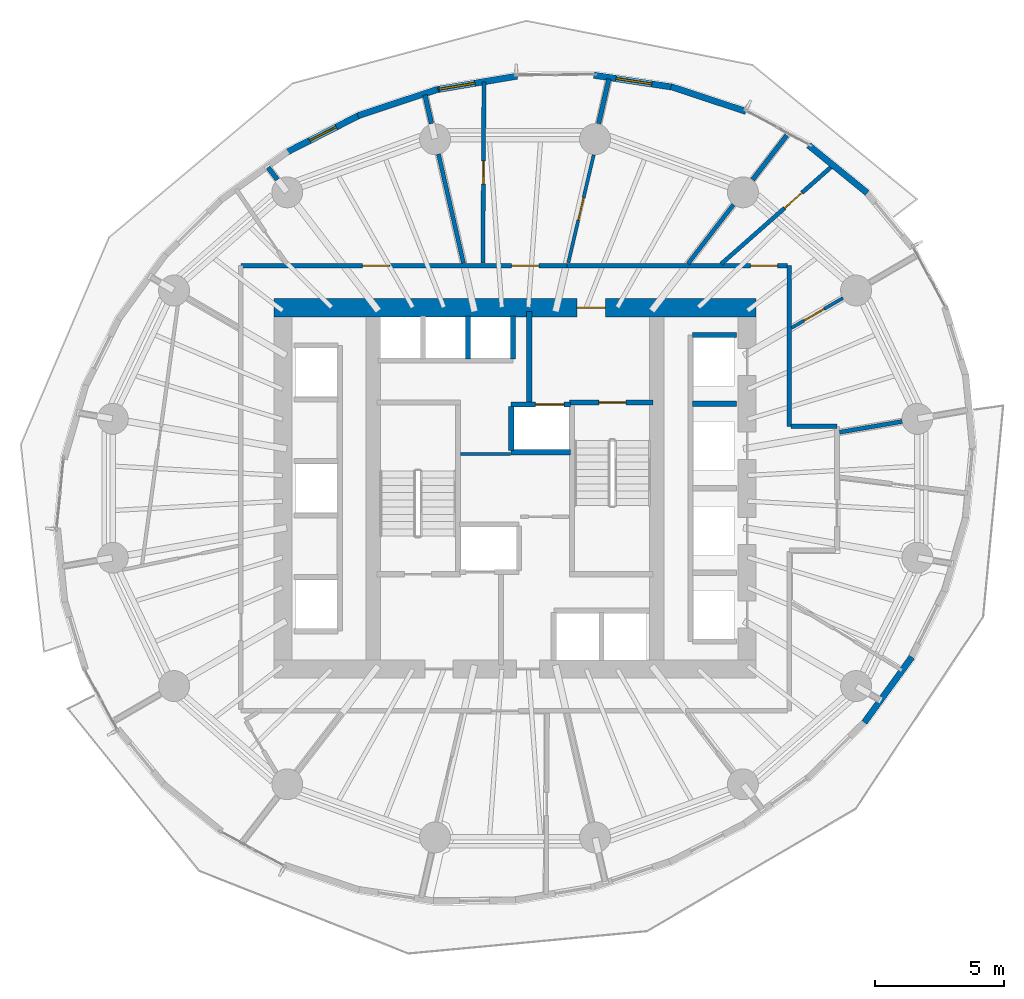
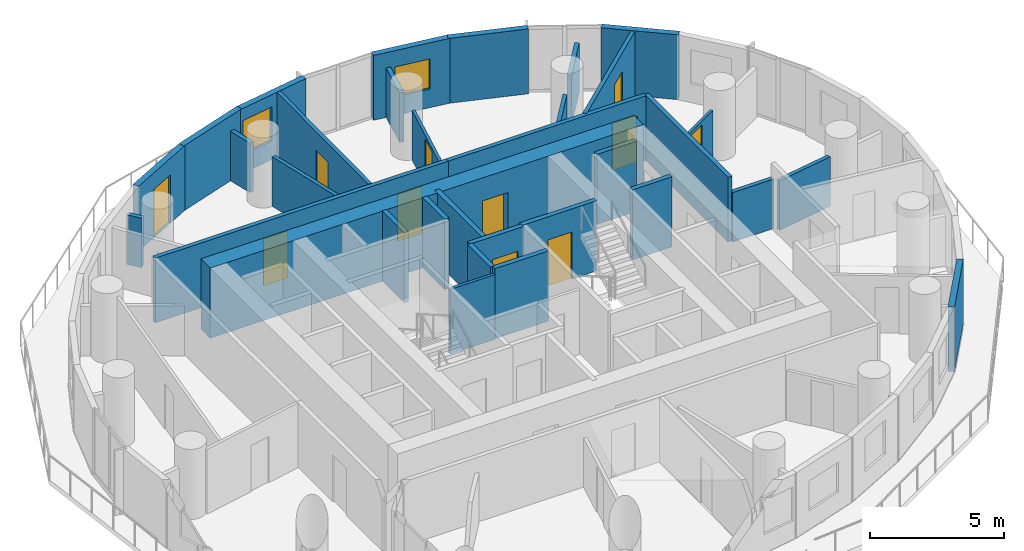
# One storey, part 9 of 14: 33 walls, 11 doors, 2 windows, 13 openings.
"""IFC4 building model written with IfcOpenShell, lengths in metres."""

from ifc_helpers import new_model, si_unit, direction, frame, frame_2d, origin, place, context, subcontext, project, spatial, rectangle, extrude, material, layer, layer_set, type_object, element, fill, save


model = new_model("IFC4")

# Units and contexts
model_context = context("Model", 3, precision=1e-05, world=origin(), true_north=direction((0.0, 1.0)))
body_context = subcontext(model_context, "Body", "Model", "MODEL_VIEW")
ifc_project = project(units=[si_unit("LENGTHUNIT", "METRE"), si_unit("AREAUNIT", "SQUARE_METRE"), si_unit("VOLUMEUNIT", "CUBIC_METRE"), si_unit("PLANEANGLEUNIT", "RADIAN"), si_unit("MASSUNIT", "GRAM", prefix="KILO")], contexts=[model_context])

# Site, building, storey
site_placement = place(None, origin())
site = spatial("IfcSite", under=ifc_project, at=site_placement, CompositionType="ELEMENT")
building_placement = place(site_placement, origin())
building = spatial("IfcBuilding", under=site, at=building_placement, Name="Veldorim Arch Residences", CompositionType="ELEMENT")
storey_placement = place(building_placement, frame((0.0, 0.0, 99.679931640625)))
storey = spatial("IfcBuildingStorey", under=building, at=storey_placement, Name="L29", CompositionType="ELEMENT", Elevation=99.679931640625)

# Wall
ifc_material_1 = material(Name="Acoustic Gypsum Board", Category="gypsum")
ifc_layer_1 = layer(ifc_material_1, 0.125, Name="Acoustic Stud Room Partition Wall 125")
ifc_layer_set_1 = layer_set([ifc_layer_1], Name="Acoustic Gypsum Board")
wall_type_1 = type_object("IfcWallType", Name="Acoustic Stud Room Partition Wall 125", PredefinedType="PARTITIONING", material=ifc_layer_set_1)
wall_1_placement = place(storey_placement, frame((29.889892578125, 25.330078125, 0.0), z_axis=(0.0, 0.0, 1.0), x_axis=(1.0, 0.0, 0.0)))
element("IfcWall", 1, at=wall_1_placement, inside=storey, type_object=wall_type_1, Name="L29 interior wall WL-CA-L29-N", PredefinedType="PARTITIONING", context=body_context, shape_type="SweptSolid", body=[
    extrude(rectangle(XDim=1.940185546875, YDim=0.125, at=frame_2d((0.97021484375, 0.0))), origin(), (0.0, 0.0, 1.0), 2.955078125),
])

# Wall, opening, door
wall_2_placement = place(storey_placement, frame((44.711181640625, 31.37548828125, 0.0), z_axis=(0.0, 0.0, 1.0), x_axis=(-0.864966854608, -0.501828995207, 0.0)))
wall_2 = element("IfcWall", 2, at=wall_2_placement, inside=storey, type_object=wall_type_1, Name="L29 interior wall WL-RES-L29-022", PredefinedType="PARTITIONING", context=body_context, shape_type="SweptSolid", body=[
    extrude(rectangle(XDim=2.305908203125, YDim=0.125, at=frame_2d((1.15283203125, 0.0))), origin(), (0.0, 0.0, 1.0), 2.2607421875),
])
opening_1_placement = place(wall_2_placement, frame((0.843017578125, 0.0, 0.0)))
opening_1 = element("IfcOpeningElement", 3, at=opening_1_placement, cuts=wall_2, Name="Opening DR-INT", PredefinedType="OPENING", context=body_context, shape_type="SweptSolid", body=[
    extrude(rectangle(XDim=0.89990234375, YDim=2.10009765625, at=frame_2d((0.449951171875, 1.050048828125))), frame((0.0, 0.072509765625, 0.0), z_axis=(0.0, -1.0, 0.0), x_axis=(1.0, 0.0, 0.0)), (0.0, 0.0, 1.0), 0.14501953125),
])
ifc_material_2 = material(Name="Engineered Timber", Category="wood")
door_type_1 = type_object("IfcDoorType", Name="Apartment Internal Room Timber Door 900x2100", OperationType="SINGLE_SWING_LEFT", PredefinedType="DOOR", material=ifc_material_2)
door_1_placement = place(opening_1_placement, origin())
door_1 = element("IfcDoor", 4, at=door_1_placement, inside=storey, type_object=door_type_1, Name="L29 interior door DR-RES-L29-010", OperationType="SINGLE_SWING_RIGHT", OverallHeight=2.10009765625, OverallWidth=0.89990234375, PredefinedType="DOOR", context=body_context, shape_type="SweptSolid", body=[
    extrude(rectangle(XDim=0.89990234375, YDim=2.10009765625, at=frame_2d((0.449951171875, 1.050048828125))), frame((0.0, 0.02490234375, 0.0), z_axis=(0.0, -1.0, 0.0), x_axis=(1.0, 0.0, 0.0)), (0.0, 0.0, 1.0), 0.050048828125),
])
fill(opening_1, door_1)

wall_3_placement = place(storey_placement, frame((35.048828125, 36.9267578125, 0.0), z_axis=(0.0, 0.0, 1.0), x_axis=(-0.229552612231, -0.973296254086, 0.0)))
wall_3 = element("IfcWall", 5, at=wall_3_placement, inside=storey, type_object=wall_type_1, Name="L29 interior wall WL-RES-L29-025", PredefinedType="PARTITIONING", context=body_context, shape_type="SweptSolid", body=[
    extrude(rectangle(XDim=4.294677734375, YDim=0.125, at=frame_2d((2.1474609375, 0.0))), origin(), (0.0, 0.0, 1.0), 2.2607421875),
])
opening_2_placement = place(wall_3_placement, frame((1.697509765625, 0.0, 0.0)))
opening_2 = element("IfcOpeningElement", 6, at=opening_2_placement, cuts=wall_3, Name="Opening DR-INT", PredefinedType="OPENING", context=body_context, shape_type="SweptSolid", body=[
    extrude(rectangle(XDim=0.89990234375, YDim=2.10009765625, at=frame_2d((0.449951171875, 1.050048828125))), frame((0.0, 0.072509765625, 0.0), z_axis=(0.0, -1.0, 0.0), x_axis=(1.0, 0.0, 0.0)), (0.0, 0.0, 1.0), 0.14501953125),
])
door_2_placement = place(opening_2_placement, origin())
door_2 = element("IfcDoor", 7, at=door_2_placement, inside=storey, type_object=door_type_1, Name="L29 interior door DR-RES-L29-013", OperationType="SINGLE_SWING_LEFT", OverallHeight=2.10009765625, OverallWidth=0.89990234375, PredefinedType="DOOR", context=body_context, shape_type="SweptSolid", body=[
    extrude(rectangle(XDim=0.89990234375, YDim=2.10009765625, at=frame_2d((0.449951171875, 1.050048828125))), frame((0.0, 0.02490234375, 0.0), z_axis=(0.0, -1.0, 0.0), x_axis=(1.0, 0.0, 0.0)), (0.0, 0.0, 1.0), 0.050048828125),
])
fill(opening_2, door_2)

# Walls
ifc_material_3 = material(Name="Lightweight Masonry Block & Gypsum", Category="masonry")
ifc_layer_2 = layer(ifc_material_3, 0.179931640625, Name="Compartment & Corridor Fire-Rated Party Wall 180")
ifc_layer_set_2 = layer_set([ifc_layer_2], Name="Lightweight Masonry Block & Gypsum")
wall_type_2 = type_object("IfcWallType", Name="Compartment & Corridor Fire-Rated Party Wall 180", PredefinedType="PARTITIONING", material=ifc_layer_set_2)
wall_4_placement = place(storey_placement, frame((41.2119140625, 35.965576171875, 0.0), z_axis=(0.0, 0.0, 1.0), x_axis=(0.610026423006, 0.792381071981, 0.0)))
element("IfcWall", 8, at=wall_4_placement, inside=storey, type_object=wall_type_2, Name="L29 interior wall WL-PIER-L29-03", PredefinedType="PARTITIONING", context=body_context, shape_type="SweptSolid", body=[
    extrude(rectangle(XDim=2.16748046875, YDim=0.179931640625, at=frame_2d((1.083740234375, 0.0))), origin(), (0.0, 0.0, 1.0), 2.2607421875),
])
wall_5_placement = place(storey_placement, frame((35.240478515625, 38.13916015625, 0.0), z_axis=(0.0, 0.0, 1.0), x_axis=(0.223406034992, 0.974725470853, 0.0)))
element("IfcWall", 9, at=wall_5_placement, inside=storey, type_object=wall_type_2, Name="L29 interior wall WL-PIER-L29-04", PredefinedType="PARTITIONING", context=body_context, shape_type="SweptSolid", body=[
    extrude(rectangle(XDim=1.779052734375, YDim=0.179931640625, at=frame_2d((0.8896484375, 0.0))), origin(), (0.0, 0.0, 1.0), 2.2607421875),
])
wall_6_placement = place(storey_placement, frame((28.759521484375, 38.13916015625, 0.0), z_axis=(0.0, 0.0, 1.0), x_axis=(-0.223325248633, 0.974743983476, 0.0)))
element("IfcWall", 10, at=wall_6_placement, inside=storey, type_object=wall_type_2, Name="L29 interior wall WL-PIER-L29-05", PredefinedType="PARTITIONING", context=body_context, shape_type="SweptSolid", body=[
    extrude(rectangle(XDim=1.13916015625, YDim=0.179931640625, at=frame_2d((0.569580078125, 0.0))), origin(), (0.0, 0.0, 1.0), 2.2607421875),
])
wall_7_placement = place(storey_placement, frame((22.7880859375, 35.965576171875, 0.0), z_axis=(0.0, 0.0, 1.0), x_axis=(-0.609809319142, 0.792548165279, 0.0)))
element("IfcWall", 11, at=wall_7_placement, inside=storey, type_object=wall_type_2, Name="L29 interior wall WL-PIER-L29-06", PredefinedType="PARTITIONING", context=body_context, shape_type="SweptSolid", body=[
    extrude(rectangle(XDim=0.5986328125, YDim=0.179931640625, at=frame_2d((0.29931640625, 0.0))), origin(), (0.0, 0.0, 1.0), 2.2607421875),
])
wall_8_placement = place(storey_placement, frame((42.6298828125, 32.6298828125, 0.0), z_axis=(0.0, 0.0, 1.0), x_axis=(0.0, -1.0, 0.0)))
element("IfcWall", 12, at=wall_8_placement, inside=storey, type_object=wall_type_2, Name="L29 interior wall WL-RES-L29-006", PredefinedType="PARTITIONING", context=body_context, shape_type="SweptSolid", body=[
    extrude(rectangle(XDim=6.22998046875, YDim=0.179931640625, at=frame_2d((3.114990234375, 0.0))), origin(), (0.0, 0.0, 1.0), 2.955078125),
])

# Wall, opening, door
wall_9_placement = place(storey_placement, frame((34.015380859375, 32.6298828125, 0.0), z_axis=(0.0, 0.0, 1.0), x_axis=(1.0, 0.0, 0.0)))
wall_9 = element("IfcWall", 13, at=wall_9_placement, inside=storey, type_object=wall_type_2, Name="L29 interior wall WL-RES-L29-007", PredefinedType="PARTITIONING", context=body_context, shape_type="SweptSolid", body=[
    extrude(rectangle(XDim=8.5546875, YDim=0.179931640625, at=frame_2d((4.27734375, 0.0))), origin(), (0.0, 0.0, 1.0), 2.955078125),
])
opening_3_placement = place(wall_9_placement, frame((7.1123046875, 0.0, 0.0)))
opening_3 = element("IfcOpeningElement", 14, at=opening_3_placement, cuts=wall_9, Name="Opening DR-FLT", PredefinedType="OPENING", context=body_context, shape_type="SweptSolid", body=[
    extrude(rectangle(XDim=1.050048828125, YDim=2.14990234375, at=frame_2d((0.52490234375, 1.074951171875))), frame((0.0, 0.099853515625, 0.0), z_axis=(0.0, -1.0, 0.0), x_axis=(1.0, 0.0, 0.0)), (0.0, 0.0, 1.0), 0.199951171875),
])
ifc_material_4 = material(Name="Fire-Rated Timber", Category="wood")
door_type_2 = type_object("IfcDoorType", Name="Apartment Entrance Solid-Core Fire Door 1050x2150", OperationType="SINGLE_SWING_LEFT", PredefinedType="DOOR", material=ifc_material_4)
door_3_placement = place(opening_3_placement, origin())
door_3 = element("IfcDoor", 15, at=door_3_placement, inside=storey, type_object=door_type_2, Name="L29 interior door DR-RES-L29-008", OperationType="SINGLE_SWING_RIGHT", OverallHeight=2.14990234375, OverallWidth=1.050048828125, PredefinedType="DOOR", context=body_context, shape_type="SweptSolid", body=[
    extrude(rectangle(XDim=1.050048828125, YDim=2.14990234375, at=frame_2d((0.52490234375, 1.074951171875))), frame((0.0, 0.02490234375, 0.0), z_axis=(0.0, -1.0, 0.0), x_axis=(1.0, 0.0, 0.0)), (0.0, 0.0, 1.0), 0.050048828125),
])
fill(opening_3, door_3)

# Wall
wall_10_placement = place(storey_placement, frame((42.68994140625, 26.39990234375, 0.0), z_axis=(0.0, 0.0, 1.0), x_axis=(1.0, 0.0, 0.0)))
element("IfcWall", 16, at=wall_10_placement, inside=storey, type_object=wall_type_2, Name="L29 interior wall WL-RES-L29-008", PredefinedType="PARTITIONING", context=body_context, shape_type="SweptSolid", body=[
    extrude(rectangle(XDim=1.7900390625, YDim=0.179931640625, at=frame_2d((0.89501953125, 0.0))), origin(), (0.0, 0.0, 1.0), 2.2607421875),
])

# Wall, openings, doors
wall_11_placement = place(storey_placement, frame((21.3701171875, 32.6298828125, 0.0), z_axis=(0.0, 0.0, 1.0), x_axis=(1.0, 0.0, 0.0)))
wall_11 = element("IfcWall", 17, at=wall_11_placement, inside=storey, type_object=wall_type_2, Name="L29 interior wall WL-RES-L29-009", PredefinedType="PARTITIONING", context=body_context, shape_type="SweptSolid", body=[
    extrude(rectangle(XDim=12.685791015625, YDim=0.179931640625, at=frame_2d((6.3427734375, 0.0))), origin(), (0.0, 0.0, 1.0), 2.955078125),
])
opening_4_placement = place(wall_11_placement, frame((10.49853515625, 0.0, 0.0)))
opening_4 = element("IfcOpeningElement", 18, at=opening_4_placement, cuts=wall_11, Name="Opening DR-FLT", PredefinedType="OPENING", context=body_context, shape_type="SweptSolid", body=[
    extrude(rectangle(XDim=1.050048828125, YDim=2.14990234375, at=frame_2d((0.52490234375, 1.074951171875))), frame((0.0, 0.099853515625, 0.0), z_axis=(0.0, -1.0, 0.0), x_axis=(1.0, 0.0, 0.0)), (0.0, 0.0, 1.0), 0.199951171875),
])
opening_5_placement = place(wall_11_placement, frame((4.712890625, 0.0, 0.0)))
opening_5 = element("IfcOpeningElement", 19, at=opening_5_placement, cuts=wall_11, Name="Opening DR-FLT", PredefinedType="OPENING", context=body_context, shape_type="SweptSolid", body=[
    extrude(rectangle(XDim=1.050048828125, YDim=2.14990234375, at=frame_2d((0.52490234375, 1.074951171875))), frame((0.0, 0.099853515625, 0.0), z_axis=(0.0, -1.0, 0.0), x_axis=(1.0, 0.0, 0.0)), (0.0, 0.0, 1.0), 0.199951171875),
])
door_4_placement = place(opening_4_placement, origin())
door_4 = element("IfcDoor", 20, at=door_4_placement, inside=storey, type_object=door_type_2, Name="L29 interior door DR-RES-L29-011", OperationType="SINGLE_SWING_LEFT", OverallHeight=2.14990234375, OverallWidth=1.050048828125, PredefinedType="DOOR", context=body_context, shape_type="SweptSolid", body=[
    extrude(rectangle(XDim=1.050048828125, YDim=2.14990234375, at=frame_2d((0.52490234375, 1.074951171875))), frame((0.0, 0.02490234375, 0.0), z_axis=(0.0, -1.0, 0.0), x_axis=(1.0, 0.0, 0.0)), (0.0, 0.0, 1.0), 0.050048828125),
])
fill(opening_4, door_4)
door_5_placement = place(opening_5_placement, origin())
door_5 = element("IfcDoor", 21, at=door_5_placement, inside=storey, type_object=door_type_2, Name="L29 interior door DR-RES-L29-014", OperationType="SINGLE_SWING_RIGHT", OverallHeight=2.14990234375, OverallWidth=1.050048828125, PredefinedType="DOOR", context=body_context, shape_type="SweptSolid", body=[
    extrude(rectangle(XDim=1.050048828125, YDim=2.14990234375, at=frame_2d((0.52490234375, 1.074951171875))), frame((0.0, 0.02490234375, 0.0), z_axis=(0.0, -1.0, 0.0), x_axis=(1.0, 0.0, 0.0)), (0.0, 0.0, 1.0), 0.050048828125),
])
fill(opening_5, door_5)

# Wall, opening, door
ifc_material_5 = material(Name="Concrete C50/60", Category="concrete")
ifc_layer_3 = layer(ifc_material_5, 0.199951171875, Name="Core Stair & Lift Shaft Enclosure Wall 200")
ifc_layer_set_3 = layer_set([ifc_layer_3], Name="Concrete C50/60")
wall_type_3 = type_object("IfcWallType", Name="Core Stair & Lift Shaft Enclosure Wall 200", PredefinedType="SHEAR", material=ifc_layer_set_3)
wall_12_placement = place(storey_placement, frame((34.110107421875, 27.330078125, 0.0), z_axis=(0.0, 0.0, 1.0), x_axis=(1.0, 0.0, 0.0)))
wall_12 = element("IfcWall", 22, at=wall_12_placement, inside=storey, type_object=wall_type_3, Name="L29 shaft wall WL-SHF-L29-ST2-N", PredefinedType="SHEAR", context=body_context, shape_type="SweptSolid", body=[
    extrude(rectangle(XDim=3.239990234375, YDim=0.199951171875, at=frame_2d((1.6201171875, 0.0))), origin(), (0.0, 0.0, 1.0), 3.199951171875),
])
opening_6_placement = place(wall_12_placement, frame((1.135009765625, 0.0, 0.0)))
opening_6 = element("IfcOpeningElement", 23, at=opening_6_placement, cuts=wall_12, Name="Opening DR-ST", PredefinedType="OPENING", context=body_context, shape_type="SweptSolid", body=[
    extrude(rectangle(XDim=1.050048828125, YDim=2.14990234375, at=frame_2d((0.52490234375, 1.074951171875))), frame((0.0, 0.10986328125, 0.0), z_axis=(0.0, -1.0, 0.0), x_axis=(1.0, 0.0, 0.0)), (0.0, 0.0, 1.0), 0.219970703125),
])
ifc_material_6 = material(Name="Fire-Rated Steel", Category="steel")
door_type_3 = type_object("IfcDoorType", Name="Exit Staircase Self-Closing Fire Door 1050x2150", OperationType="SINGLE_SWING_LEFT", PredefinedType="DOOR", material=ifc_material_6)
door_6_placement = place(opening_6_placement, origin())
door_6 = element("IfcDoor", 24, at=door_6_placement, inside=storey, type_object=door_type_3, Name="L29 interior door DR-L29-ST2", OperationType="SINGLE_SWING_RIGHT", OverallHeight=2.14990234375, OverallWidth=1.050048828125, PredefinedType="DOOR", context=body_context, shape_type="SweptSolid", body=[
    extrude(rectangle(XDim=1.050048828125, YDim=2.14990234375, at=frame_2d((0.52490234375, 1.074951171875))), frame((0.0, 0.02490234375, 0.0), z_axis=(0.0, -1.0, 0.0), x_axis=(1.0, 0.0, 0.0)), (0.0, 0.0, 1.0), 0.050048828125),
])
fill(opening_6, door_6)

# Wall
wall_13_placement = place(storey_placement, frame((32.550048828125, 27.35009765625, 0.0), z_axis=(0.0, 0.0, 1.0), x_axis=(0.0, 1.0, 0.0)))
element("IfcWall", 25, at=wall_13_placement, inside=storey, type_object=wall_type_3, Name="L29 shaft wall WL-FFL2-L29-W", PredefinedType="SHEAR", context=body_context, shape_type="SweptSolid", body=[
    extrude(rectangle(XDim=3.5, YDim=0.199951171875, at=frame_2d((1.75, 0.0))), origin(), (0.0, 0.0, 1.0), 3.199951171875),
])

# Wall, opening, door
wall_14_placement = place(storey_placement, frame((31.85009765625, 27.25, 0.0), z_axis=(0.0, 0.0, 1.0), x_axis=(1.0, 0.0, 0.0)))
wall_14 = element("IfcWall", 26, at=wall_14_placement, inside=storey, type_object=wall_type_3, Name="L29 shaft wall WL-FL02-L29-N", PredefinedType="SHEAR", context=body_context, shape_type="SweptSolid", body=[
    extrude(rectangle(XDim=2.2998046875, YDim=0.199951171875, at=frame_2d((1.14990234375, 0.0))), origin(), (0.0, 0.0, 1.0), 3.199951171875),
])
opening_7_placement = place(wall_14_placement, frame((0.949951171875, 0.0, 0.0)))
opening_7 = element("IfcOpeningElement", 27, at=opening_7_placement, cuts=wall_14, Name="Opening LD-FF", PredefinedType="OPENING", context=body_context, shape_type="SweptSolid", body=[
    extrude(rectangle(XDim=1.10009765625, YDim=2.14990234375, at=frame_2d((0.550048828125, 1.074951171875))), frame((0.0, 0.10986328125, 0.0), z_axis=(0.0, -1.0, 0.0), x_axis=(1.0, 0.0, 0.0)), (0.0, 0.0, 1.0), 0.219970703125),
])
ifc_material_7 = material(Name="Stainless Steel", Category="steel")
door_type_4 = type_object("IfcDoorType", Name="Firefighting Lift Bi-Parting Sliding Landing Door 1100x2150", OperationType="DOUBLE_DOOR_SLIDING", PredefinedType="DOOR", material=ifc_material_7)
door_7_placement = place(opening_7_placement, origin())
door_7 = element("IfcDoor", 28, at=door_7_placement, inside=storey, type_object=door_type_4, Name="L29 lift landing door LD-L29-FL02", OperationType="DOUBLE_DOOR_SLIDING", OverallHeight=2.14990234375, OverallWidth=1.10009765625, PredefinedType="DOOR", context=body_context, shape_type="SweptSolid", body=[
    extrude(rectangle(XDim=1.10009765625, YDim=2.14990234375, at=frame_2d((0.550048828125, 1.074951171875))), frame((0.0, 0.02490234375, 0.0), z_axis=(0.0, -1.0, 0.0), x_axis=(1.0, 0.0, 0.0)), (0.0, 0.0, 1.0), 0.050048828125),
])
fill(opening_7, door_7)

# Walls
wall_15_placement = place(storey_placement, frame((31.85009765625, 25.39990234375, 0.0), z_axis=(0.0, 0.0, 1.0), x_axis=(1.0, 0.0, 0.0)))
element("IfcWall", 29, at=wall_15_placement, inside=storey, type_object=wall_type_3, Name="L29 shaft wall WL-FL02-L29-S", PredefinedType="SHEAR", context=body_context, shape_type="SweptSolid", body=[
    extrude(rectangle(XDim=2.2998046875, YDim=0.199951171875, at=frame_2d((1.14990234375, 0.0))), origin(), (0.0, 0.0, 1.0), 3.199951171875),
])
for number, where, z_axis, x_axis, name in (
    (30, (31.85009765625, 25.469970703125, 0.0), (0.0, 0.0, 1.0), (0.0, 1.0, 0.0), "L29 shaft wall WL-FL02-L29-W"),
    (31, (38.8701171875, 29.93994140625, 0.0), (0.0, 0.0, 1.0), (1.0, 0.0, 0.0), "L29 shaft wall WL-B1-L29-N"),
    (32, (38.8701171875, 27.27490234375, 0.0), (0.0, 0.0, 1.0), (1.0, 0.0, 0.0), "L29 shaft wall WL-B1-L29-D3"),
):
    element("IfcWall", number, at=place(storey_placement, frame(where, z_axis=z_axis, x_axis=x_axis)), inside=storey, type_object=wall_type_3, Name=name, PredefinedType="SHEAR", context=body_context, shape_type="SweptSolid", body=[
        extrude(rectangle(XDim=1.7099609375, YDim=0.199951171875, at=frame_2d((0.85498046875, 0.0))), origin(), (0.0, 0.0, 1.0), 3.199951171875),
    ])
for number, where, z_axis, x_axis, name in (
    (33, (31.919921875, 29.02001953125, 0.0), (0.0, 0.0, 1.0), (0.0, 1.0, 0.0), "L29 shaft wall WL-B3-L29-E"),
    (34, (30.175048828125, 29.02001953125, 0.0), (0.0, 0.0, 1.0), (0.0, 1.0, 0.0), "L29 shaft wall WL-B3-L29-D2"),
):
    element("IfcWall", number, at=place(storey_placement, frame(where, z_axis=z_axis, x_axis=x_axis)), inside=storey, type_object=wall_type_3, Name=name, PredefinedType="SHEAR", context=body_context, shape_type="SweptSolid", body=[
        extrude(rectangle(XDim=1.659912109375, YDim=0.199951171875, at=frame_2d((0.830078125, 0.0))), origin(), (0.0, 0.0, 1.0), 3.199951171875),
    ])

# Wall, opening, door
ifc_material_8 = material(Name="Concrete C60/75", Category="concrete")
ifc_layer_4 = layer(ifc_material_8, 0.699951171875, Name="Mid-Lower Central Core Shear Wall 700")
ifc_layer_set_4 = layer_set([ifc_layer_4], Name="Concrete C60/75")
wall_type_4 = type_object("IfcWallType", Name="Mid-Lower Central Core Shear Wall 700", PredefinedType="SHEAR", material=ifc_layer_set_4)
wall_16_placement = place(storey_placement, frame((22.64990234375, 31.0, 0.0), z_axis=(0.0, 0.0, 1.0), x_axis=(1.0, 0.0, 0.0)))
wall_16 = element("IfcWall", 35, at=wall_16_placement, inside=storey, type_object=wall_type_4, Name="L29 central core north shear wall", PredefinedType="SHEAR", context=body_context, shape_type="SweptSolid", body=[
    extrude(rectangle(XDim=18.7001953125, YDim=0.699951171875, at=frame_2d((9.35009765625, 0.0))), origin(), (0.0, 0.0, 1.0), 3.199951171875),
])
opening_8_placement = place(wall_16_placement, frame((11.75, 0.0, 0.0)))
opening_8 = element("IfcOpeningElement", 36, at=opening_8_placement, cuts=wall_16, Name="Opening DR-FFL", PredefinedType="OPENING", context=body_context, shape_type="SweptSolid", body=[
    extrude(rectangle(XDim=1.10009765625, YDim=2.14990234375, at=frame_2d((0.550048828125, 1.074951171875))), frame((0.0, 0.35986328125, 0.0), z_axis=(0.0, -1.0, 0.0), x_axis=(1.0, 0.0, 0.0)), (0.0, 0.0, 1.0), 0.719970703125),
])
ifc_material_9 = material(Name="Fire-Rated Steel & Vision Glass", Category="steel")
door_type_5 = type_object("IfcDoorType", Name="Firefighting Lobby Smoke-Stop Fire Door 1100x2150", OperationType="SINGLE_SWING_LEFT", PredefinedType="DOOR", material=ifc_material_9)
door_8_placement = place(opening_8_placement, origin())
door_8 = element("IfcDoor", 37, at=door_8_placement, inside=storey, type_object=door_type_5, Name="L29 interior door DR-L29-FFL2", OperationType="SINGLE_SWING_LEFT", OverallHeight=2.14990234375, OverallWidth=1.10009765625, PredefinedType="DOOR", context=body_context, shape_type="SweptSolid", body=[
    extrude(rectangle(XDim=1.10009765625, YDim=2.14990234375, at=frame_2d((0.550048828125, 1.074951171875))), frame((0.0, 0.02490234375, 0.0), z_axis=(0.0, -1.0, 0.0), x_axis=(1.0, 0.0, 0.0)), (0.0, 0.0, 1.0), 0.050048828125),
])
fill(opening_8, door_8)

# Walls
ifc_material_10 = material(Name="Precast concrete C40/50", Category="concrete")
ifc_layer_5 = layer(ifc_material_10, 0.25, Name="Tower Terracotta Spandrel & Pier Wall 250")
ifc_layer_set_5 = layer_set([ifc_layer_5], Name="Precast concrete C40/50")
wall_type_5 = type_object("IfcWallType", Name="Tower Terracotta Spandrel & Pier Wall 250", PredefinedType="SOLIDWALL", material=ifc_layer_set_5)
wall_17_placement = place(storey_placement, frame((43.383056640625, 37.2978515625, 0.0), z_axis=(0.0, 0.0, 1.0), x_axis=(0.776285131062, -0.630381943976, 0.0)))
element("IfcWall", 38, at=wall_17_placement, inside=storey, type_object=wall_type_5, Name="L29 terracotta facade wall 03", PredefinedType="SOLIDWALL", context=body_context, shape_type="SweptSolid", body=[
    extrude(rectangle(XDim=2.92333984375, YDim=0.25, at=frame_2d((1.461669921875, 0.0))), origin(), (0.0, 0.0, 1.0), 2.9599609375),
])
wall_18_placement = place(storey_placement, frame((38.04541015625, 39.57373046875, 0.0), z_axis=(0.0, 0.0, 1.0), x_axis=(0.949533409058, -0.313665913166, 0.0)))
element("IfcWall", 39, at=wall_18_placement, inside=storey, type_object=wall_type_5, Name="L29 terracotta facade wall 05", PredefinedType="SOLIDWALL", context=body_context, shape_type="SweptSolid", body=[
    extrude(rectangle(XDim=3.060546875, YDim=0.25, at=frame_2d((1.5302734375, 0.0))), origin(), (0.0, 0.0, 1.0), 2.9599609375),
])

# Wall, opening, window
wall_19_placement = place(storey_placement, frame((35.05712890625, 40.01708984375, 0.0), z_axis=(0.0, 0.0, 1.0), x_axis=(0.988719703222, -0.149777663425, 0.0)))
wall_19 = element("IfcWall", 40, at=wall_19_placement, inside=storey, type_object=wall_type_5, Name="L29 terracotta facade wall 06", PredefinedType="SOLIDWALL", context=body_context, shape_type="SweptSolid", body=[
    extrude(rectangle(XDim=3.13134765625, YDim=0.25, at=frame_2d((1.565673828125, 0.0))), origin(), (0.0, 0.0, 1.0), 2.9599609375),
])
opening_9_placement = place(wall_19_placement, frame((0.865966796875, 0.0, 0.85009765625)))
opening_9 = element("IfcOpeningElement", 41, at=opening_9_placement, cuts=wall_19, Name="Opening WN-02", PredefinedType="OPENING", context=body_context, shape_type="SweptSolid", body=[
    extrude(rectangle(XDim=1.39990234375, YDim=1.3701171875, at=frame_2d((0.699951171875, 0.68505859375))), frame((0.0, 0.135009765625, 0.0), z_axis=(0.0, -1.0, 0.0), x_axis=(1.0, 0.0, 0.0)), (0.0, 0.0, 1.0), 0.27001953125),
])
ifc_material_11 = material(Name="Laminated Low-E Glass", Category="glass")
window_type = type_object("IfcWindowType", Name="Residential Casement Window 1400x1550", PartitioningType="SINGLE_PANEL", PredefinedType="WINDOW", material=ifc_material_11)
window_1_placement = place(opening_9_placement, origin())
window_1 = element("IfcWindow", 42, at=window_1_placement, inside=storey, type_object=window_type, Name="L29 solar-control facade window 06", OverallHeight=1.3701171875, OverallWidth=1.39990234375, PartitioningType="SINGLE_PANEL", PredefinedType="WINDOW", context=body_context, shape_type="SweptSolid", body=[
    extrude(rectangle(XDim=1.39990234375, YDim=1.3701171875, at=frame_2d((0.699951171875, 0.68505859375))), frame((0.0, 0.030029296875, 0.0), z_axis=(0.0, -1.0, 0.0), x_axis=(1.0, 0.0, 0.0)), (0.0, 0.0, 1.0), 0.06005859375),
])
fill(opening_9, window_1)

wall_20_placement = place(storey_placement, frame((28.892578125, 39.444580078125, 0.0), z_axis=(0.0, 0.0, 1.0), x_axis=(0.986043062305, 0.166490478044, 0.0)))
wall_20 = element("IfcWall", 43, at=wall_20_placement, inside=storey, type_object=wall_type_5, Name="L29 terracotta facade wall 08", PredefinedType="SOLIDWALL", context=body_context, shape_type="SweptSolid", body=[
    extrude(rectangle(XDim=3.236328125, YDim=0.25, at=frame_2d((1.6181640625, 0.0))), origin(), (0.0, 0.0, 1.0), 2.9599609375),
])
opening_10_placement = place(wall_20_placement, frame((0.175048828125, 0.0, 0.85009765625)))
opening_10 = element("IfcOpeningElement", 44, at=opening_10_placement, cuts=wall_20, Name="Opening WN-02", PredefinedType="OPENING", context=body_context, shape_type="SweptSolid", body=[
    extrude(rectangle(XDim=1.39990234375, YDim=1.550048828125, at=frame_2d((0.699951171875, 0.77490234375))), frame((0.0, 0.135009765625, 0.0), z_axis=(0.0, -1.0, 0.0), x_axis=(1.0, 0.0, 0.0)), (0.0, 0.0, 1.0), 0.27001953125),
])
window_2_placement = place(opening_10_placement, origin())
window_2 = element("IfcWindow", 45, at=window_2_placement, inside=storey, type_object=window_type, Name="L29 solar-control facade window 08", OverallHeight=1.550048828125, OverallWidth=1.39990234375, PartitioningType="SINGLE_PANEL", PredefinedType="WINDOW", context=body_context, shape_type="SweptSolid", body=[
    extrude(rectangle(XDim=1.39990234375, YDim=1.550048828125, at=frame_2d((0.699951171875, 0.77490234375))), frame((0.0, 0.030029296875, 0.0), z_axis=(0.0, -1.0, 0.0), x_axis=(1.0, 0.0, 0.0)), (0.0, 0.0, 1.0), 0.06005859375),
])
fill(opening_10, window_2)

# Wall
wall_21_placement = place(storey_placement, frame((25.904296875, 38.4453125, 0.0), z_axis=(0.0, 0.0, 1.0), x_axis=(0.949206293356, 0.314654433709, 0.0)))
element("IfcWall", 46, at=wall_21_placement, inside=storey, type_object=wall_type_5, Name="L29 terracotta facade wall 09", PredefinedType="SOLIDWALL", context=body_context, shape_type="SweptSolid", body=[
    extrude(rectangle(XDim=3.259521484375, YDim=0.25, at=frame_2d((1.6298828125, 0.0))), origin(), (0.0, 0.0, 1.0), 2.9599609375),
])

# Wall, opening, door
wall_22_placement = place(storey_placement, frame((23.10107421875, 37.00634765625, 0.0), z_axis=(0.0, 0.0, 1.0), x_axis=(0.89081817606, 0.454359964347, 0.0)))
wall_22 = element("IfcWall", 47, at=wall_22_placement, inside=storey, type_object=wall_type_5, Name="L29 terracotta facade wall 10", PredefinedType="SOLIDWALL", context=body_context, shape_type="SweptSolid", body=[
    extrude(rectangle(XDim=3.259521484375, YDim=0.25, at=frame_2d((1.6298828125, 0.0))), origin(), (0.0, 0.0, 1.0), 2.9599609375),
])
opening_11_placement = place(wall_22_placement, frame((1.054931640625, 0.0, 0.0)))
opening_11 = element("IfcOpeningElement", 48, at=opening_11_placement, cuts=wall_22, Name="Opening BL-DR", PredefinedType="OPENING", context=body_context, shape_type="SweptSolid", body=[
    extrude(rectangle(XDim=1.14990234375, YDim=2.199951171875, at=frame_2d((0.574951171875, 1.10009765625))), frame((0.0, 0.135009765625, 0.0), z_axis=(0.0, -1.0, 0.0), x_axis=(1.0, 0.0, 0.0)), (0.0, 0.0, 1.0), 0.27001953125),
])
ifc_material_12 = material(Name="Aluminium & Low-E Glass", Category="aluminium")
door_type_6 = type_object("IfcDoorType", Name="Glazed Planted Balcony Door 1150x2200", OperationType="SINGLE_SWING_LEFT", PredefinedType="DOOR", material=ifc_material_12)
door_9_placement = place(opening_11_placement, origin())
door_9 = element("IfcDoor", 49, at=door_9_placement, inside=storey, type_object=door_type_6, Name="L29 glazed outdoor terrace door BALC-1", OperationType="SINGLE_SWING_RIGHT", OverallHeight=2.199951171875, OverallWidth=1.14990234375, PredefinedType="DOOR", context=body_context, shape_type="SweptSolid", body=[
    extrude(rectangle(XDim=1.14990234375, YDim=2.199951171875, at=frame_2d((0.574951171875, 1.10009765625))), frame((0.0, 0.02490234375, 0.0), z_axis=(0.0, -1.0, 0.0), x_axis=(1.0, 0.0, 0.0)), (0.0, 0.0, 1.0), 0.050048828125),
])
fill(opening_11, door_9)

# Walls
wall_23_placement = place(storey_placement, frame((47.386474609375, 17.453125, 0.0), z_axis=(0.0, 0.0, 1.0), x_axis=(-0.588208785685, -0.808709109905, 0.0)))
element("IfcWall", 50, at=wall_23_placement, inside=storey, type_object=wall_type_5, Name="L29 terracotta facade wall 31", PredefinedType="SOLIDWALL", context=body_context, shape_type="SweptSolid", body=[
    extrude(rectangle(XDim=3.131103515625, YDim=0.25, at=frame_2d((1.5654296875, 0.0))), origin(), (0.0, 0.0, 1.0), 2.9599609375),
])
ifc_material_13 = material(Name="Moisture-Resistant Gypsum & Stud", Category="gypsum")
ifc_layer_6 = layer(ifc_material_13, 0.159912109375, Name="Wet-Area Moisture-Resistant Plumbing Wall 160")
ifc_layer_set_6 = layer_set([ifc_layer_6], Name="Moisture-Resistant Gypsum & Stud")
wall_type_6 = type_object("IfcWallType", Name="Wet-Area Moisture-Resistant Plumbing Wall 160", PredefinedType="PLUMBINGWALL", material=ifc_layer_set_6)
wall_24_placement = place(storey_placement, frame((44.57861328125, 26.17138671875, 0.0), z_axis=(0.0, 0.0, 1.0), x_axis=(0.985404570769, 0.170228763457, 0.0)))
element("IfcWall", 51, at=wall_24_placement, inside=storey, type_object=wall_type_6, Name="L29 interior wall WL-RES-L29-019", PredefinedType="PLUMBINGWALL", context=body_context, shape_type="SweptSolid", body=[
    extrude(rectangle(XDim=2.4638671875, YDim=0.159912109375, at=frame_2d((1.23193359375, 0.0))), origin(), (0.0, 0.0, 1.0), 2.2607421875),
])

# Wall, opening, door
wall_25_placement = place(storey_placement, frame((39.99072265625, 32.696044921875, 0.0), z_axis=(0.0, 0.0, 1.0), x_axis=(0.750059872717, 0.661369932292, 0.0)))
wall_25 = element("IfcWall", 52, at=wall_25_placement, inside=storey, type_object=wall_type_6, Name="L29 interior wall WL-RES-L29-021", PredefinedType="PLUMBINGWALL", context=body_context, shape_type="SweptSolid", body=[
    extrude(rectangle(XDim=5.775146484375, YDim=0.159912109375, at=frame_2d((2.8876953125, 0.0))), origin(), (0.0, 0.0, 1.0), 2.955078125),
])
opening_12_placement = place(wall_25_placement, frame((3.277587890625, 0.0, 0.0)))
opening_12 = element("IfcOpeningElement", 53, at=opening_12_placement, cuts=wall_25, Name="Opening DR-WC", PredefinedType="OPENING", context=body_context, shape_type="SweptSolid", body=[
    extrude(rectangle(XDim=0.89990234375, YDim=2.10009765625, at=frame_2d((0.449951171875, 1.050048828125))), frame((0.0, 0.08984375, 0.0), z_axis=(0.0, -1.0, 0.0), x_axis=(1.0, 0.0, 0.0)), (0.0, 0.0, 1.0), 0.179931640625),
])
ifc_material_14 = material(Name="Laminate Timber", Category="wood")
door_type_7 = type_object("IfcDoorType", Name="Bathroom & Accessible WC Moisture-Sealed Door 900x2100", OperationType="SINGLE_SWING_LEFT", PredefinedType="DOOR", material=ifc_material_14)
door_10_placement = place(opening_12_placement, origin())
door_10 = element("IfcDoor", 54, at=door_10_placement, inside=storey, type_object=door_type_7, Name="L29 interior door DR-RES-L29-009", OperationType="SINGLE_SWING_LEFT", OverallHeight=2.10009765625, OverallWidth=0.89990234375, PredefinedType="DOOR", context=body_context, shape_type="SweptSolid", body=[
    extrude(rectangle(XDim=0.89990234375, YDim=2.10009765625, at=frame_2d((0.449951171875, 1.050048828125))), frame((0.0, 0.02490234375, 0.0), z_axis=(0.0, -1.0, 0.0), x_axis=(1.0, 0.0, 0.0)), (0.0, 0.0, 1.0), 0.050048828125),
])
fill(opening_12, door_10)

# Wall
wall_26_placement = place(storey_placement, frame((38.704833984375, 32.709228515625, 0.0), z_axis=(0.0, 0.0, 1.0), x_axis=(0.610033601295, 0.792375545617, 0.0)))
element("IfcWall", 55, at=wall_26_placement, inside=storey, type_object=wall_type_6, Name="L29 interior wall WL-RES-L29-023", PredefinedType="PLUMBINGWALL", context=body_context, shape_type="SweptSolid", body=[
    extrude(rectangle(XDim=2.88671875, YDim=0.159912109375, at=frame_2d((1.443359375, 0.0))), origin(), (0.0, 0.0, 1.0), 2.2607421875),
])

# Wall, opening, door
wall_27_placement = place(storey_placement, frame((30.751708984375, 32.72998046875, 0.0), z_axis=(0.0, 0.0, 1.0), x_axis=(0.006016026892, 0.999981903546, 0.0)))
wall_27 = element("IfcWall", 56, at=wall_27_placement, inside=storey, type_object=wall_type_6, Name="L29 interior wall WL-RES-L29-024", PredefinedType="PLUMBINGWALL", context=body_context, shape_type="SweptSolid", body=[
    extrude(rectangle(XDim=7.020751953125, YDim=0.159912109375, at=frame_2d((3.51025390625, 0.0))), origin(), (0.0, 0.0, 1.0), 2.955078125),
])
opening_13_placement = place(wall_27_placement, frame((3.060302734375, 0.0, 0.0)))
opening_13 = element("IfcOpeningElement", 57, at=opening_13_placement, cuts=wall_27, Name="Opening DR-WC", PredefinedType="OPENING", context=body_context, shape_type="SweptSolid", body=[
    extrude(rectangle(XDim=0.89990234375, YDim=2.10009765625, at=frame_2d((0.449951171875, 1.050048828125))), frame((0.0, 0.08984375, 0.0), z_axis=(0.0, -1.0, 0.0), x_axis=(1.0, 0.0, 0.0)), (0.0, 0.0, 1.0), 0.179931640625),
])
door_11_placement = place(opening_13_placement, origin())
door_11 = element("IfcDoor", 58, at=door_11_placement, inside=storey, type_object=door_type_7, Name="L29 interior door DR-RES-L29-012", OperationType="SINGLE_SWING_RIGHT", OverallHeight=2.10009765625, OverallWidth=0.89990234375, PredefinedType="DOOR", context=body_context, shape_type="SweptSolid", body=[
    extrude(rectangle(XDim=0.89990234375, YDim=2.10009765625, at=frame_2d((0.449951171875, 1.050048828125))), frame((0.0, 0.02490234375, 0.0), z_axis=(0.0, -1.0, 0.0), x_axis=(1.0, 0.0, 0.0)), (0.0, 0.0, 1.0), 0.050048828125),
])
fill(opening_13, door_11)

# Wall
wall_28_placement = place(storey_placement, frame((30.0, 32.7275390625, 0.0), z_axis=(0.0, 0.0, 1.0), x_axis=(-0.223409547543, 0.974724665773, 0.0)))
element("IfcWall", 59, at=wall_28_placement, inside=storey, type_object=wall_type_6, Name="L29 interior wall WL-RES-L29-026", PredefinedType="PLUMBINGWALL", context=body_context, shape_type="SweptSolid", body=[
    extrude(rectangle(XDim=4.341552734375, YDim=0.159912109375, at=frame_2d((2.1708984375, 0.0))), origin(), (0.0, 0.0, 1.0), 2.2607421875),
])

save(model, "model.ifc")
